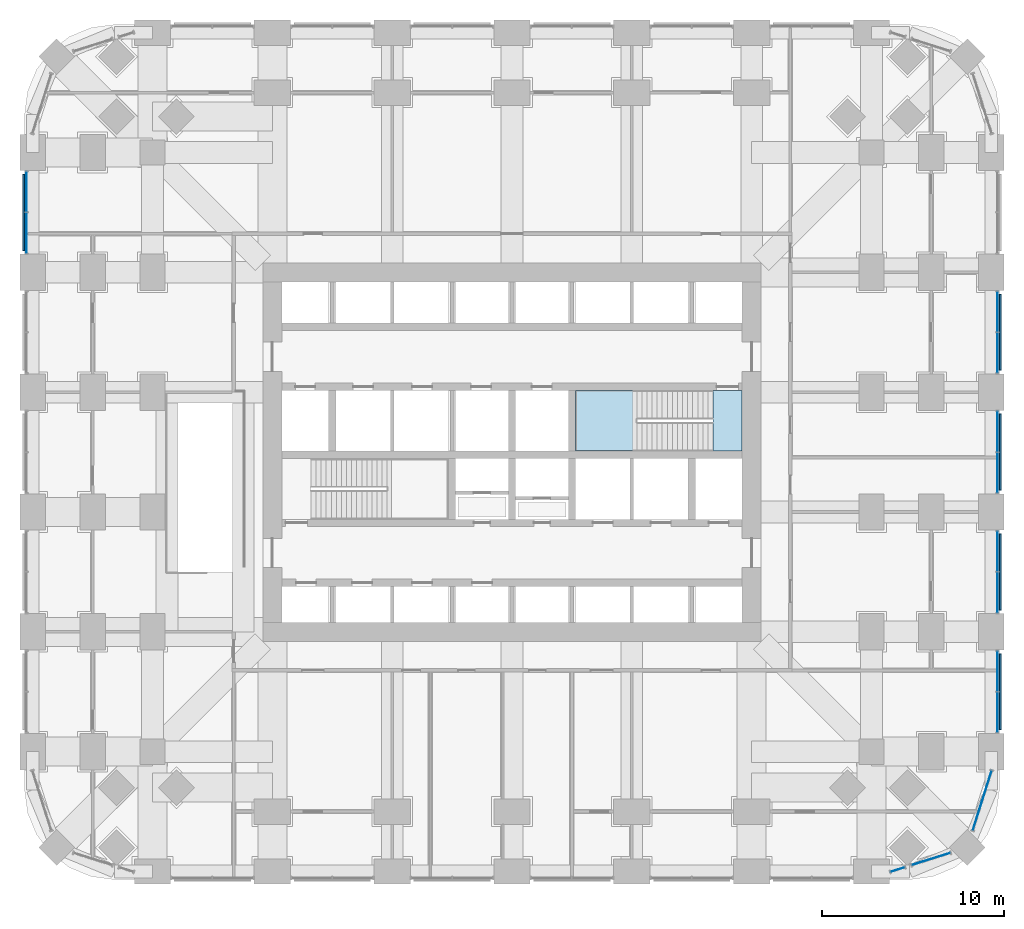
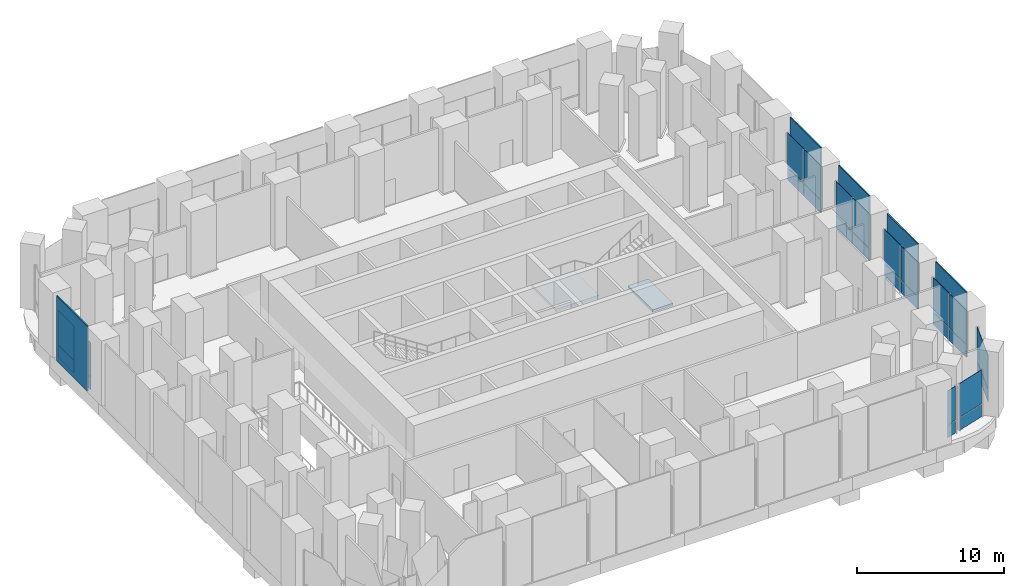
# One storey, part 9 of 17: 31 plates, 2 slabs, 9 elements without a shape of their own.
"""IFC4 building model written with IfcOpenShell, lengths in metres."""

from ifc_helpers import new_model, si_unit, direction, frame, origin, origin_2d, place, context, subcontext, project, spatial, polyline, rectangle, outline, extrude, material, layer, layer_set, type_object, element, aggregate, save


model = new_model("IFC4")

# Units and contexts
model_context = context("Model", 3, precision=1e-05, world=origin(), true_north=direction((0.0, 1.0)))
body_context = subcontext(model_context, "Body", "Model", "MODEL_VIEW")
ifc_project = project(units=[si_unit("LENGTHUNIT", "METRE"), si_unit("AREAUNIT", "SQUARE_METRE"), si_unit("VOLUMEUNIT", "CUBIC_METRE"), si_unit("PLANEANGLEUNIT", "RADIAN"), si_unit("MASSUNIT", "GRAM", prefix="KILO")], contexts=[model_context])

# Site, building, storey
site_placement = place(None, origin())
site = spatial("IfcSite", under=ifc_project, at=site_placement, CompositionType="ELEMENT")
building_placement = place(site_placement, origin())
building = spatial("IfcBuilding", under=site, at=building_placement, Name="Cobogo Forest Laboratory Tower", CompositionType="ELEMENT")
storey_placement = place(building_placement, frame((0.0, 0.0, 7.199951171875)))
storey = spatial("IfcBuildingStorey", under=building, at=storey_placement, Name="L01", CompositionType="ELEMENT", Elevation=7.199951171875)

# Plates
ifc_material_1 = material(Name="Pierced concrete block", Category="concrete")
ifc_layer_1 = layer(ifc_material_1, 0.10009765625)
ifc_layer_set_1 = layer_set([ifc_layer_1], Name="CO1 cobogo block screen 100")
plate_type_1 = type_object("IfcPlateType", Name="CO1 cobogo block screen 100", PredefinedType="USERDEFINED", material=ifc_layer_set_1)
for number, where, z_axis, x_axis, name in (
    (1, (53.300048828125, 9.89990234375, -0.14990234375), (0.0, 0.0, 1.0), (0.0, 1.0, 0.0), "Cobogo screen E1 L01"),
    (2, (53.300048828125, 16.5, -0.14990234375), (0.0, 0.0, 1.0), (0.0, 1.0, 0.0), "Cobogo screen E2 L01"),
    (3, (53.300048828125, 23.10009765625, -0.14990234375), (0.0, 0.0, 1.0), (0.0, 1.0, 0.0), "Cobogo screen E3 L01"),
    (4, (53.300048828125, 29.699951171875, -0.14990234375), (0.0, 0.0, 1.0), (0.0, 1.0, 0.0), "Cobogo screen E4 L01"),
    (5, (-0.5, 36.300048828125, -0.14990234375), (0.0, 0.0, 1.0), (0.0, 1.0, 0.0), "Cobogo screen W5 L01"),
):
    element("IfcPlate", number, at=place(storey_placement, frame(where, z_axis=z_axis, x_axis=x_axis)), inside=storey, type_object=plate_type_1, Name=name, ObjectType="COBOGO SCREEN", PredefinedType="USERDEFINED", context=body_context, shape_type="SweptSolid", body=[
        extrude(rectangle(XDim=4.199951171875, YDim=0.10009765625, at=origin_2d()), origin(), (0.0, 0.0, 1.0), 5.39990234375),
    ])

# Curtain wall, plates
ifc_material_2 = material(Name="Aluminium curtain wall", Category="aluminium")
curtain_wall_type = type_object("IfcCurtainWallType", Name="CW-K stick curtain wall, podium laboratories", PredefinedType="USERDEFINED", material=ifc_material_2)
curtain_wall_1_placement = place(storey_placement, origin())
curtain_wall_1 = element("IfcCurtainWall", 6, at=curtain_wall_1_placement, inside=storey, type_object=curtain_wall_type, Name="Curtain wall 07 L01", ObjectType="STICK CURTAIN WALL", PredefinedType="USERDEFINED")
ifc_material_3 = material(Name="Clear insulated glass", Category="glass")
ifc_layer_2 = layer(ifc_material_3, 0.028076171875)
ifc_layer_set_2 = layer_set([ifc_layer_2], Name="GP-1 clear insulated glass unit 28")
plate_type_2 = type_object("IfcPlateType", Name="GP-1 clear insulated glass unit 28", PredefinedType="CURTAIN_PANEL", material=ifc_layer_set_2)
plate_1_placement = place(storey_placement, frame((47.640869140625, 0.10498046875, 0.0), z_axis=(0.0, 0.0, 1.0), x_axis=(0.953581406818, 0.301135352577, 0.0)))
plate_1 = element("IfcPlate", 7, at=plate_1_placement, type_object=plate_type_2, Name="CW-K panel 1.1", PredefinedType="CURTAIN_PANEL", context=body_context, shape_type="SweptSolid", body=[
    extrude(rectangle(XDim=0.804931640625, YDim=0.028076171875, at=origin_2d()), origin(), (0.0, 0.0, 1.0), 1.02001953125),
])
plate_2_placement = place(storey_placement, frame((47.640869140625, 0.10498046875, 1.080078125), z_axis=(0.0, 0.0, 1.0), x_axis=(0.953581406818, 0.301135352577, 0.0)))
plate_2 = element("IfcPlate", 8, at=plate_2_placement, type_object=plate_type_2, Name="CW-K panel 1.2", PredefinedType="CURTAIN_PANEL", context=body_context, shape_type="SweptSolid", body=[
    extrude(rectangle(XDim=0.804931640625, YDim=0.028076171875, at=origin_2d()), origin(), (0.0, 0.0, 1.0), 2.820068359375),
])
aggregate(curtain_wall_1, [plate_1, plate_2])

curtain_wall_2_placement = place(storey_placement, origin())
curtain_wall_2 = element("IfcCurtainWall", 9, at=curtain_wall_2_placement, inside=storey, type_object=curtain_wall_type, Name="Curtain wall 08 L01", ObjectType="STICK CURTAIN WALL", PredefinedType="USERDEFINED")
plate_3_placement = place(storey_placement, frame((49.482177734375, 0.6865234375, 0.0), z_axis=(0.0, 0.0, 1.0), x_axis=(0.953581409645, 0.301135343623, 0.0)))
plate_3 = element("IfcPlate", 10, at=plate_3_placement, type_object=plate_type_2, Name="CW-K panel 1.1", PredefinedType="CURTAIN_PANEL", context=body_context, shape_type="SweptSolid", body=[
    extrude(rectangle(XDim=2.203369140625, YDim=0.028076171875, at=origin_2d()), origin(), (0.0, 0.0, 1.0), 1.02001953125),
])
plate_4_placement = place(storey_placement, frame((49.482177734375, 0.6865234375, 1.080078125), z_axis=(0.0, 0.0, 1.0), x_axis=(0.953581409645, 0.301135343623, 0.0)))
plate_4 = element("IfcPlate", 11, at=plate_4_placement, type_object=plate_type_2, Name="CW-K panel 1.2", PredefinedType="CURTAIN_PANEL", context=body_context, shape_type="SweptSolid", body=[
    extrude(rectangle(XDim=2.203369140625, YDim=0.028076171875, at=origin_2d()), origin(), (0.0, 0.0, 1.0), 2.820068359375),
])
aggregate(curtain_wall_2, [plate_3, plate_4])

curtain_wall_3_placement = place(storey_placement, origin())
curtain_wall_3 = element("IfcCurtainWall", 12, at=curtain_wall_3_placement, inside=storey, type_object=curtain_wall_type, Name="Curtain wall 09 L01", ObjectType="STICK CURTAIN WALL", PredefinedType="USERDEFINED")
plate_5_placement = place(storey_placement, frame((52.299072265625, 3.905029296875, 0.0), z_axis=(0.0, 0.0, 1.0), x_axis=(0.301135433696, 0.953581381201, 0.0)))
plate_5 = element("IfcPlate", 13, at=plate_5_placement, type_object=plate_type_2, Name="CW-K panel 1.1", PredefinedType="CURTAIN_PANEL", context=body_context, shape_type="SweptSolid", body=[
    extrude(rectangle(XDim=3.434814453125, YDim=0.028076171875, at=origin_2d()), origin(), (0.0, 0.0, 1.0), 1.02001953125),
])
plate_6_placement = place(storey_placement, frame((52.299072265625, 3.905029296875, 1.080078125), z_axis=(0.0, 0.0, 1.0), x_axis=(0.301135433696, 0.953581381201, 0.0)))
plate_6 = element("IfcPlate", 14, at=plate_6_placement, type_object=plate_type_2, Name="CW-K panel 1.2", PredefinedType="CURTAIN_PANEL", context=body_context, shape_type="SweptSolid", body=[
    extrude(rectangle(XDim=3.434814453125, YDim=0.028076171875, at=origin_2d()), origin(), (0.0, 0.0, 1.0), 2.820068359375),
])
aggregate(curtain_wall_3, [plate_5, plate_6])

curtain_wall_4_placement = place(storey_placement, origin())
curtain_wall_4 = element("IfcCurtainWall", 15, at=curtain_wall_4_placement, inside=storey, type_object=curtain_wall_type, Name="Curtain wall 10 L01", ObjectType="STICK CURTAIN WALL", PredefinedType="USERDEFINED")
plate_7_placement = place(storey_placement, frame((53.14990234375, 8.764892578125, 0.0), z_axis=(0.0, 0.0, 1.0), x_axis=(0.0, 1.0, 0.0)))
plate_7 = element("IfcPlate", 16, at=plate_7_placement, type_object=plate_type_2, Name="CW-K panel 1.1", PredefinedType="CURTAIN_PANEL", context=body_context, shape_type="SweptSolid", body=[
    extrude(rectangle(XDim=2.2099609375, YDim=0.028076171875, at=origin_2d()), origin(), (0.0, 0.0, 1.0), 1.02001953125),
])
plate_8_placement = place(storey_placement, frame((53.14990234375, 8.764892578125, 1.080078125), z_axis=(0.0, 0.0, 1.0), x_axis=(0.0, 1.0, 0.0)))
plate_8 = element("IfcPlate", 17, at=plate_8_placement, type_object=plate_type_2, Name="CW-K panel 1.2", PredefinedType="CURTAIN_PANEL", context=body_context, shape_type="SweptSolid", body=[
    extrude(rectangle(XDim=2.2099609375, YDim=0.028076171875, at=origin_2d()), origin(), (0.0, 0.0, 1.0), 2.820068359375),
])
plate_9_placement = place(storey_placement, frame((53.14990234375, 11.034912109375, 0.0), z_axis=(0.0, 0.0, 1.0), x_axis=(0.0, 1.0, 0.0)))
plate_9 = element("IfcPlate", 18, at=plate_9_placement, type_object=plate_type_2, Name="CW-K panel 2.1", PredefinedType="CURTAIN_PANEL", context=body_context, shape_type="SweptSolid", body=[
    extrude(rectangle(XDim=2.2099609375, YDim=0.028076171875, at=origin_2d()), origin(), (0.0, 0.0, 1.0), 1.02001953125),
])
plate_10_placement = place(storey_placement, frame((53.14990234375, 11.034912109375, 1.080078125), z_axis=(0.0, 0.0, 1.0), x_axis=(0.0, 1.0, 0.0)))
plate_10 = element("IfcPlate", 19, at=plate_10_placement, type_object=plate_type_2, Name="CW-K panel 2.2", PredefinedType="CURTAIN_PANEL", context=body_context, shape_type="SweptSolid", body=[
    extrude(rectangle(XDim=2.2099609375, YDim=0.028076171875, at=origin_2d()), origin(), (0.0, 0.0, 1.0), 2.820068359375),
])
aggregate(curtain_wall_4, [plate_7, plate_8, plate_9, plate_10])

curtain_wall_5_placement = place(storey_placement, origin())
curtain_wall_5 = element("IfcCurtainWall", 20, at=curtain_wall_5_placement, inside=storey, type_object=curtain_wall_type, Name="Curtain wall 11 L01", ObjectType="STICK CURTAIN WALL", PredefinedType="USERDEFINED")
plate_11_placement = place(storey_placement, frame((53.14990234375, 15.364990234375, 0.0), z_axis=(0.0, 0.0, 1.0), x_axis=(0.0, 1.0, 0.0)))
plate_11 = element("IfcPlate", 21, at=plate_11_placement, type_object=plate_type_2, Name="CW-K panel 1.1", PredefinedType="CURTAIN_PANEL", context=body_context, shape_type="SweptSolid", body=[
    extrude(rectangle(XDim=2.2099609375, YDim=0.028076171875, at=origin_2d()), origin(), (0.0, 0.0, 1.0), 1.02001953125),
])
plate_12_placement = place(storey_placement, frame((53.14990234375, 15.364990234375, 1.080078125), z_axis=(0.0, 0.0, 1.0), x_axis=(0.0, 1.0, 0.0)))
plate_12 = element("IfcPlate", 22, at=plate_12_placement, type_object=plate_type_2, Name="CW-K panel 1.2", PredefinedType="CURTAIN_PANEL", context=body_context, shape_type="SweptSolid", body=[
    extrude(rectangle(XDim=2.2099609375, YDim=0.028076171875, at=origin_2d()), origin(), (0.0, 0.0, 1.0), 2.820068359375),
])
plate_13_placement = place(storey_placement, frame((53.14990234375, 17.635009765625, 0.0), z_axis=(0.0, 0.0, 1.0), x_axis=(0.0, 1.0, 0.0)))
plate_13 = element("IfcPlate", 23, at=plate_13_placement, type_object=plate_type_2, Name="CW-K panel 2.1", PredefinedType="CURTAIN_PANEL", context=body_context, shape_type="SweptSolid", body=[
    extrude(rectangle(XDim=2.2099609375, YDim=0.028076171875, at=origin_2d()), origin(), (0.0, 0.0, 1.0), 1.02001953125),
])
plate_14_placement = place(storey_placement, frame((53.14990234375, 17.635009765625, 1.080078125), z_axis=(0.0, 0.0, 1.0), x_axis=(0.0, 1.0, 0.0)))
plate_14 = element("IfcPlate", 24, at=plate_14_placement, type_object=plate_type_2, Name="CW-K panel 2.2", PredefinedType="CURTAIN_PANEL", context=body_context, shape_type="SweptSolid", body=[
    extrude(rectangle(XDim=2.2099609375, YDim=0.028076171875, at=origin_2d()), origin(), (0.0, 0.0, 1.0), 2.820068359375),
])
aggregate(curtain_wall_5, [plate_11, plate_12, plate_13, plate_14])

curtain_wall_6_placement = place(storey_placement, origin())
curtain_wall_6 = element("IfcCurtainWall", 25, at=curtain_wall_6_placement, inside=storey, type_object=curtain_wall_type, Name="Curtain wall 12 L01", ObjectType="STICK CURTAIN WALL", PredefinedType="USERDEFINED")
plate_15_placement = place(storey_placement, frame((53.14990234375, 21.965087890625, 0.0), z_axis=(0.0, 0.0, 1.0), x_axis=(0.0, 1.0, 0.0)))
plate_15 = element("IfcPlate", 26, at=plate_15_placement, type_object=plate_type_2, Name="CW-K panel 1.1", PredefinedType="CURTAIN_PANEL", context=body_context, shape_type="SweptSolid", body=[
    extrude(rectangle(XDim=2.2099609375, YDim=0.028076171875, at=origin_2d()), origin(), (0.0, 0.0, 1.0), 1.02001953125),
])
plate_16_placement = place(storey_placement, frame((53.14990234375, 21.965087890625, 1.080078125), z_axis=(0.0, 0.0, 1.0), x_axis=(0.0, 1.0, 0.0)))
plate_16 = element("IfcPlate", 27, at=plate_16_placement, type_object=plate_type_2, Name="CW-K panel 1.2", PredefinedType="CURTAIN_PANEL", context=body_context, shape_type="SweptSolid", body=[
    extrude(rectangle(XDim=2.2099609375, YDim=0.028076171875, at=origin_2d()), origin(), (0.0, 0.0, 1.0), 2.820068359375),
])
plate_17_placement = place(storey_placement, frame((53.14990234375, 24.235107421875, 0.0), z_axis=(0.0, 0.0, 1.0), x_axis=(0.0, 1.0, 0.0)))
plate_17 = element("IfcPlate", 28, at=plate_17_placement, type_object=plate_type_2, Name="CW-K panel 2.1", PredefinedType="CURTAIN_PANEL", context=body_context, shape_type="SweptSolid", body=[
    extrude(rectangle(XDim=2.2099609375, YDim=0.028076171875, at=origin_2d()), origin(), (0.0, 0.0, 1.0), 1.02001953125),
])
plate_18_placement = place(storey_placement, frame((53.14990234375, 24.235107421875, 1.080078125), z_axis=(0.0, 0.0, 1.0), x_axis=(0.0, 1.0, 0.0)))
plate_18 = element("IfcPlate", 29, at=plate_18_placement, type_object=plate_type_2, Name="CW-K panel 2.2", PredefinedType="CURTAIN_PANEL", context=body_context, shape_type="SweptSolid", body=[
    extrude(rectangle(XDim=2.2099609375, YDim=0.028076171875, at=origin_2d()), origin(), (0.0, 0.0, 1.0), 2.820068359375),
])
aggregate(curtain_wall_6, [plate_15, plate_16, plate_17, plate_18])

curtain_wall_7_placement = place(storey_placement, origin())
curtain_wall_7 = element("IfcCurtainWall", 30, at=curtain_wall_7_placement, inside=storey, type_object=curtain_wall_type, Name="Curtain wall 13 L01", ObjectType="STICK CURTAIN WALL", PredefinedType="USERDEFINED")
plate_19_placement = place(storey_placement, frame((53.14990234375, 28.56494140625, 0.0), z_axis=(0.0, 0.0, 1.0), x_axis=(0.0, 1.0, 0.0)))
plate_19 = element("IfcPlate", 31, at=plate_19_placement, type_object=plate_type_2, Name="CW-K panel 1.1", PredefinedType="CURTAIN_PANEL", context=body_context, shape_type="SweptSolid", body=[
    extrude(rectangle(XDim=2.2099609375, YDim=0.028076171875, at=origin_2d()), origin(), (0.0, 0.0, 1.0), 1.02001953125),
])
plate_20_placement = place(storey_placement, frame((53.14990234375, 28.56494140625, 1.080078125), z_axis=(0.0, 0.0, 1.0), x_axis=(0.0, 1.0, 0.0)))
plate_20 = element("IfcPlate", 32, at=plate_20_placement, type_object=plate_type_2, Name="CW-K panel 1.2", PredefinedType="CURTAIN_PANEL", context=body_context, shape_type="SweptSolid", body=[
    extrude(rectangle(XDim=2.2099609375, YDim=0.028076171875, at=origin_2d()), origin(), (0.0, 0.0, 1.0), 2.820068359375),
])
plate_21_placement = place(storey_placement, frame((53.14990234375, 30.8349609375, 0.0), z_axis=(0.0, 0.0, 1.0), x_axis=(0.0, 1.0, 0.0)))
plate_21 = element("IfcPlate", 33, at=plate_21_placement, type_object=plate_type_2, Name="CW-K panel 2.1", PredefinedType="CURTAIN_PANEL", context=body_context, shape_type="SweptSolid", body=[
    extrude(rectangle(XDim=2.2099609375, YDim=0.028076171875, at=origin_2d()), origin(), (0.0, 0.0, 1.0), 1.02001953125),
])
plate_22_placement = place(storey_placement, frame((53.14990234375, 30.8349609375, 1.080078125), z_axis=(0.0, 0.0, 1.0), x_axis=(0.0, 1.0, 0.0)))
plate_22 = element("IfcPlate", 34, at=plate_22_placement, type_object=plate_type_2, Name="CW-K panel 2.2", PredefinedType="CURTAIN_PANEL", context=body_context, shape_type="SweptSolid", body=[
    extrude(rectangle(XDim=2.2099609375, YDim=0.028076171875, at=origin_2d()), origin(), (0.0, 0.0, 1.0), 2.820068359375),
])
aggregate(curtain_wall_7, [plate_19, plate_20, plate_21, plate_22])

curtain_wall_8_placement = place(storey_placement, origin())
curtain_wall_8 = element("IfcCurtainWall", 35, at=curtain_wall_8_placement, inside=storey, type_object=curtain_wall_type, Name="Curtain wall 27 L01", ObjectType="STICK CURTAIN WALL", PredefinedType="USERDEFINED")
plate_23_placement = place(storey_placement, frame((-0.35009765625, 37.43505859375, 0.0), z_axis=(0.0, 0.0, 1.0), x_axis=(0.0, -1.0, 0.0)))
plate_23 = element("IfcPlate", 36, at=plate_23_placement, type_object=plate_type_2, Name="CW-K panel 1.1", PredefinedType="CURTAIN_PANEL", context=body_context, shape_type="SweptSolid", body=[
    extrude(rectangle(XDim=2.2099609375, YDim=0.028076171875, at=origin_2d()), origin(), (0.0, 0.0, 1.0), 1.02001953125),
])
plate_24_placement = place(storey_placement, frame((-0.35009765625, 37.43505859375, 1.080078125), z_axis=(0.0, 0.0, 1.0), x_axis=(0.0, -1.0, 0.0)))
plate_24 = element("IfcPlate", 37, at=plate_24_placement, type_object=plate_type_2, Name="CW-K panel 1.2", PredefinedType="CURTAIN_PANEL", context=body_context, shape_type="SweptSolid", body=[
    extrude(rectangle(XDim=2.2099609375, YDim=0.028076171875, at=origin_2d()), origin(), (0.0, 0.0, 1.0), 2.820068359375),
])
plate_25_placement = place(storey_placement, frame((-0.35009765625, 35.1650390625, 0.0), z_axis=(0.0, 0.0, 1.0), x_axis=(0.0, -1.0, 0.0)))
plate_25 = element("IfcPlate", 38, at=plate_25_placement, type_object=plate_type_2, Name="CW-K panel 2.1", PredefinedType="CURTAIN_PANEL", context=body_context, shape_type="SweptSolid", body=[
    extrude(rectangle(XDim=2.2099609375, YDim=0.028076171875, at=origin_2d()), origin(), (0.0, 0.0, 1.0), 1.02001953125),
])
plate_26_placement = place(storey_placement, frame((-0.35009765625, 35.1650390625, 1.080078125), z_axis=(0.0, 0.0, 1.0), x_axis=(0.0, -1.0, 0.0)))
plate_26 = element("IfcPlate", 39, at=plate_26_placement, type_object=plate_type_2, Name="CW-K panel 2.2", PredefinedType="CURTAIN_PANEL", context=body_context, shape_type="SweptSolid", body=[
    extrude(rectangle(XDim=2.2099609375, YDim=0.028076171875, at=origin_2d()), origin(), (0.0, 0.0, 1.0), 2.820068359375),
])
aggregate(curtain_wall_8, [plate_23, plate_24, plate_25, plate_26])

# Stair, slabs
ifc_material_4 = material(Name="Precast concrete HA-40 (C40/50)", Category="concrete")
stair_type = type_object("IfcStairType", Name="ST32 exit stair 32 risers", PredefinedType="HALF_TURN_STAIR", material=ifc_material_4)
stair_placement = place(storey_placement, origin())
stair = element("IfcStair", 40, at=stair_placement, inside=storey, type_object=stair_type, Name="Stair 2 L01 to L02", PredefinedType="HALF_TURN_STAIR")
ifc_material_5 = material(Name="Concrete HA-40 (C40/50)", Category="concrete")
ifc_layer_3 = layer(ifc_material_5, 0.199951171875)
ifc_layer_set_3 = layer_set([ifc_layer_3], Name="SL stair landing 200")
slab_type = type_object("IfcSlabType", Name="SL stair landing 200", PredefinedType="LANDING", material=ifc_layer_set_3)
slab_1_placement = place(storey_placement, frame((0.0, 0.0, -0.199951171875)))
slab_1 = element("IfcSlab", 41, at=slab_1_placement, type_object=slab_type, Name="ST2 landing 1", PredefinedType="LANDING", context=body_context, shape_type="SweptSolid", body=[
    extrude(outline(polyline([(37.472900390625, 23.14990234375), (39.074951171875, 23.14990234375), (39.074951171875, 26.5), (37.472900390625, 26.5), (37.472900390625, 23.14990234375)])), origin(), (0.0, 0.0, 1.0), 0.199951171875),
])
slab_2_placement = place(storey_placement, frame((0.0, 0.0, 2.5)))
slab_2 = element("IfcSlab", 42, at=slab_2_placement, type_object=slab_type, Name="ST2 landing 2", PredefinedType="LANDING", context=body_context, shape_type="SweptSolid", body=[
    extrude(outline(polyline([(29.89990234375, 23.14990234375), (33.277099609375, 23.14990234375), (33.277099609375, 26.5), (29.89990234375, 26.5), (29.89990234375, 23.14990234375)])), origin(), (0.0, 0.0, 1.0), 0.199951171875),
])
aggregate(stair, [slab_1, slab_2])

save(model, "model.ifc")
